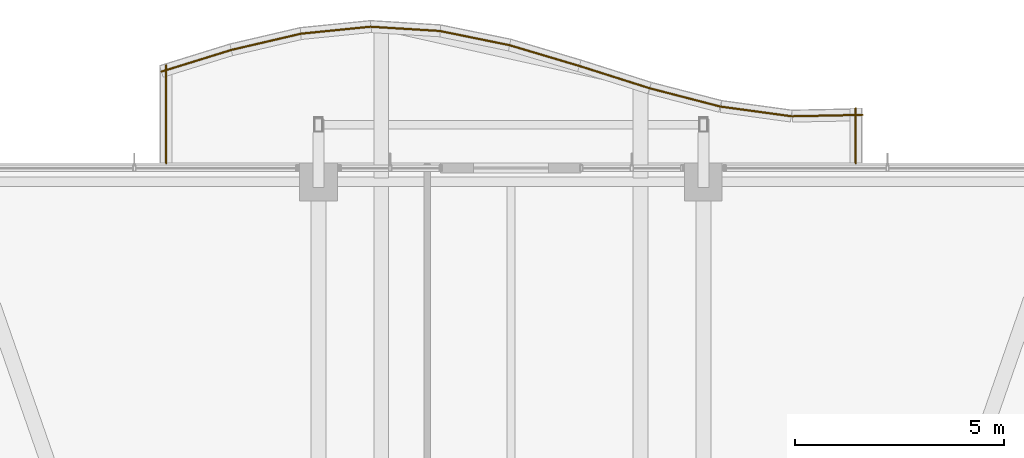
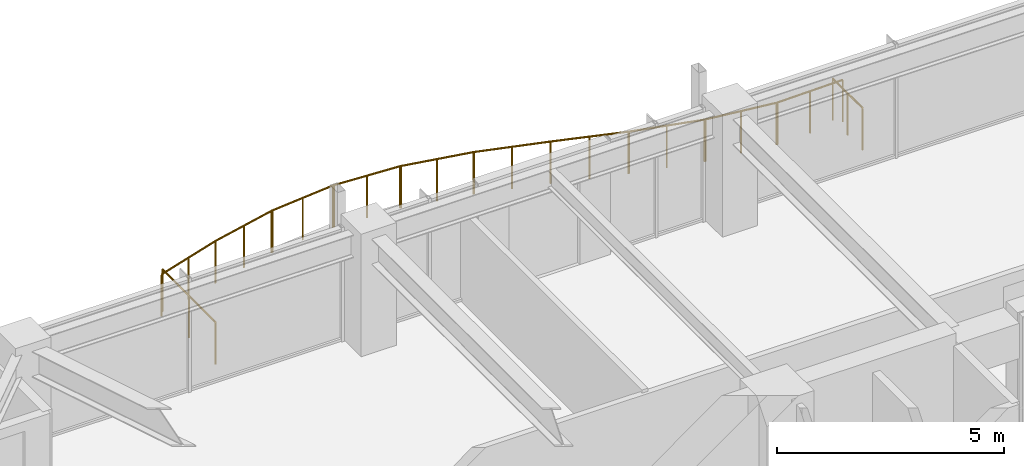
# One storey, part 37 of 37: 12 railings.
"""IFC4 building model written with IfcOpenShell, lengths in metres."""

from ifc_helpers import new_model, si_unit, direction, frame, origin, origin_2d, place, context, subcontext, project, spatial, circle, extrude, material, type_object, element, save


model = new_model("IFC4")

# Units and contexts
model_context = context("Model", 3, precision=1e-05, world=origin(), true_north=direction((0.0, 1.0)))
body_context = subcontext(model_context, "Body", "Model", "MODEL_VIEW")
ifc_project = project(units=[si_unit("LENGTHUNIT", "METRE"), si_unit("AREAUNIT", "SQUARE_METRE"), si_unit("VOLUMEUNIT", "CUBIC_METRE"), si_unit("PLANEANGLEUNIT", "RADIAN"), si_unit("MASSUNIT", "GRAM", prefix="KILO")], contexts=[model_context])

# Site, building, storey
site_placement = place(None, origin())
site = spatial("IfcSite", under=ifc_project, at=site_placement, CompositionType="ELEMENT")
building_placement = place(site_placement, origin())
building = spatial("IfcBuilding", under=site, at=building_placement, Name="Kolvaren Belvedere", CompositionType="ELEMENT")
storey_placement = place(building_placement, frame((0.0, 0.0, 173.39990234375)))
storey = spatial("IfcBuildingStorey", under=building, at=storey_placement, Name="L50", CompositionType="ELEMENT", Elevation=173.39990234375)

# Railings
ifc_material = material(Name="Anodised pale-metal aluminium & laminated glass guard", Category="aluminium")
railing_type = type_object("IfcRailingType", Name="RL-GUARD-1150", PredefinedType="GUARDRAIL", material=ifc_material)
railing_1_placement = place(storey_placement, frame((8.239990234375, 20.39990234375, 0.380126953125)))
element("IfcRailing", 1, at=railing_1_placement, inside=storey, type_object=railing_type, Name="L50 Exterior Deck Safety Guard BAL-N-11", PredefinedType="GUARDRAIL", context=body_context, shape_type="SweptSolid", body=[
    extrude(circle(Radius=0.02392578125, at=origin_2d()), frame((0.0, 0.0, 1.1259765625), z_axis=(0.0, 1.0, 0.0), x_axis=(-1.0, 0.0, 0.0)), (0.0, 0.0, 1.0), 1.31298828125),
    extrude(circle(Radius=0.02099609375, at=origin_2d()), origin(), (0.0, 0.0, 1.0), 1.101806640625),
    extrude(circle(Radius=0.02099609375, at=origin_2d()), frame((0.0, 0.656494140625, 0.0)), (0.0, 0.0, 1.0), 1.101806640625),
    extrude(circle(Radius=0.02099609375, at=origin_2d()), frame((0.0, 1.31298828125, 0.0)), (0.0, 0.0, 1.0), 1.101806640625),
])
railing_2_placement = place(storey_placement, frame((8.4033203125, 21.552978515625, 0.380126953125)))
element("IfcRailing", 2, at=railing_2_placement, inside=storey, type_object=railing_type, Name="L50 Exterior Deck Safety Guard BAL-N-12", PredefinedType="GUARDRAIL", context=body_context, shape_type="SweptSolid", body=[
    extrude(circle(Radius=0.02392578125, at=origin_2d()), frame((0.0, 0.0, 1.1259765625), z_axis=(-0.99979609052, -0.020193498486, 0.0), x_axis=(0.020193498486, -0.99979609052, 0.0)), (0.0, 0.0, 1.0), 1.680419921875),
    extrude(circle(Radius=0.02099609375, at=origin_2d()), origin(), (0.0, 0.0, 1.0), 1.101806640625),
    extrude(circle(Radius=0.02099609375, at=origin_2d()), frame((-0.840087890625, -0.01708984375, 0.0)), (0.0, 0.0, 1.0), 1.101806640625),
    extrude(circle(Radius=0.02099609375, at=origin_2d()), frame((-1.68017578125, -0.033935546875, 0.0)), (0.0, 0.0, 1.0), 1.101806640625),
])
railing_3_placement = place(storey_placement, frame((6.698486328125, 21.5205078125, 0.380126953125)))
element("IfcRailing", 3, at=railing_3_placement, inside=storey, type_object=railing_type, Name="L50 Exterior Deck Safety Guard BAL-N-13", PredefinedType="GUARDRAIL", context=body_context, shape_type="SweptSolid", body=[
    extrude(circle(Radius=0.02392578125, at=origin_2d()), frame((0.0, 0.0, 1.1259765625), z_axis=(-0.990858183042, 0.134907602079, 0.0), x_axis=(-0.134907602079, -0.990858183042, 0.0)), (0.0, 0.0, 1.0), 1.695556640625),
    extrude(circle(Radius=0.02099609375, at=origin_2d()), origin(), (0.0, 0.0, 1.0), 1.101806640625),
    extrude(circle(Radius=0.02099609375, at=origin_2d()), frame((-0.840087890625, 0.1142578125, 0.0)), (0.0, 0.0, 1.0), 1.101806640625),
    extrude(circle(Radius=0.02099609375, at=origin_2d()), frame((-1.68017578125, 0.228759765625, 0.0)), (0.0, 0.0, 1.0), 1.101806640625),
])
railing_4_placement = place(storey_placement, frame((5.0, 21.7529296875, 0.380126953125)))
element("IfcRailing", 4, at=railing_4_placement, inside=storey, type_object=railing_type, Name="L50 Exterior Deck Safety Guard BAL-N-14", PredefinedType="GUARDRAIL", context=body_context, shape_type="SweptSolid", body=[
    extrude(circle(Radius=0.02392578125, at=origin_2d()), frame((0.0, 0.0, 1.1259765625), z_axis=(-0.968141031826, 0.250405556038, 0.0), x_axis=(-0.250405556038, -0.968141031826, 0.0)), (0.0, 0.0, 1.0), 1.7353515625),
    extrude(circle(Radius=0.02099609375, at=origin_2d()), origin(), (0.0, 0.0, 1.0), 1.101806640625),
    extrude(circle(Radius=0.02099609375, at=origin_2d()), frame((-0.840087890625, 0.21728515625, 0.0)), (0.0, 0.0, 1.0), 1.101806640625),
    extrude(circle(Radius=0.02099609375, at=origin_2d()), frame((-1.68017578125, 0.4345703125, 0.0)), (0.0, 0.0, 1.0), 1.101806640625),
])
railing_5_placement = place(storey_placement, frame((3.3115234375, 22.18994140625, 0.380126953125)))
element("IfcRailing", 5, at=railing_5_placement, inside=storey, type_object=railing_type, Name="L50 Exterior Deck Safety Guard BAL-N-15", PredefinedType="GUARDRAIL", context=body_context, shape_type="SweptSolid", body=[
    extrude(circle(Radius=0.02392578125, at=origin_2d()), frame((0.0, 0.0, 1.1259765625), z_axis=(-0.953181954832, 0.302397356111, 0.0), x_axis=(-0.302397356111, -0.953181954832, 0.0)), (0.0, 0.0, 1.0), 1.762451171875),
    extrude(circle(Radius=0.02099609375, at=origin_2d()), origin(), (0.0, 0.0, 1.0), 1.101806640625),
    extrude(circle(Radius=0.02099609375, at=origin_2d()), frame((-0.83984375, 0.2666015625, 0.0)), (0.0, 0.0, 1.0), 1.101806640625),
    extrude(circle(Radius=0.02099609375, at=origin_2d()), frame((-1.679931640625, 0.532958984375, 0.0)), (0.0, 0.0, 1.0), 1.101806640625),
])
railing_6_placement = place(storey_placement, frame((1.634521484375, 22.721923828125, 0.380126953125)))
element("IfcRailing", 6, at=railing_6_placement, inside=storey, type_object=railing_type, Name="L50 Exterior Deck Safety Guard BAL-N-16", PredefinedType="GUARDRAIL", context=body_context, shape_type="SweptSolid", body=[
    extrude(circle(Radius=0.02392578125, at=origin_2d()), frame((0.0, 0.0, 1.1259765625), z_axis=(-0.958536356279, 0.284970268083, 0.0), x_axis=(-0.284970268083, -0.958536356279, 0.0)), (0.0, 0.0, 1.0), 1.7529296875),
    extrude(circle(Radius=0.02099609375, at=origin_2d()), origin(), (0.0, 0.0, 1.0), 1.101806640625),
    extrude(circle(Radius=0.02099609375, at=origin_2d()), frame((-0.840087890625, 0.249755859375, 0.0)), (0.0, 0.0, 1.0), 1.101806640625),
    extrude(circle(Radius=0.02099609375, at=origin_2d()), frame((-1.68017578125, 0.49951171875, 0.0)), (0.0, 0.0, 1.0), 1.101806640625),
])
railing_7_placement = place(storey_placement, frame((-0.031982421875, 23.218017578125, 0.380126953125)))
element("IfcRailing", 7, at=railing_7_placement, inside=storey, type_object=railing_type, Name="L50 Exterior Deck Safety Guard BAL-N-17", PredefinedType="GUARDRAIL", context=body_context, shape_type="SweptSolid", body=[
    extrude(circle(Radius=0.02392578125, at=origin_2d()), frame((0.0, 0.0, 1.1259765625), z_axis=(-0.979867779516, 0.199647526069, 0.0), x_axis=(-0.199647526069, -0.979867779516, 0.0)), (0.0, 0.0, 1.0), 1.71435546875),
    extrude(circle(Radius=0.02099609375, at=origin_2d()), origin(), (0.0, 0.0, 1.0), 1.101806640625),
    extrude(circle(Radius=0.02099609375, at=origin_2d()), frame((-0.83984375, 0.171142578125, 0.0)), (0.0, 0.0, 1.0), 1.101806640625),
    extrude(circle(Radius=0.02099609375, at=origin_2d()), frame((-1.679931640625, 0.34228515625, 0.0)), (0.0, 0.0, 1.0), 1.101806640625),
])
railing_8_placement = place(storey_placement, frame((-1.689697265625, 23.5576171875, 0.380126953125)))
element("IfcRailing", 8, at=railing_8_placement, inside=storey, type_object=railing_type, Name="L50 Exterior Deck Safety Guard BAL-N-18", PredefinedType="GUARDRAIL", context=body_context, shape_type="SweptSolid", body=[
    extrude(circle(Radius=0.02392578125, at=origin_2d()), frame((0.0, 0.0, 1.1259765625), z_axis=(-0.998134101522, 0.061059932685, 0.0), x_axis=(-0.061059932685, -0.998134101522, 0.0)), (0.0, 0.0, 1.0), 1.683349609375),
    extrude(circle(Radius=0.02099609375, at=origin_2d()), origin(), (0.0, 0.0, 1.0), 1.101806640625),
    extrude(circle(Radius=0.02099609375, at=origin_2d()), frame((-0.840087890625, 0.05126953125, 0.0)), (0.0, 0.0, 1.0), 1.101806640625),
    extrude(circle(Radius=0.02099609375, at=origin_2d()), frame((-1.68017578125, 0.102783203125, 0.0)), (0.0, 0.0, 1.0), 1.101806640625),
])
railing_9_placement = place(storey_placement, frame((-3.343994140625, 23.660888671875, 0.380126953125)))
element("IfcRailing", 9, at=railing_9_placement, inside=storey, type_object=railing_type, Name="L50 Exterior Deck Safety Guard BAL-N-19", PredefinedType="GUARDRAIL", context=body_context, shape_type="SweptSolid", body=[
    extrude(circle(Radius=0.02392578125, at=origin_2d()), frame((0.0, 0.0, 1.1259765625), z_axis=(-0.995025731437, -0.099618240186, 0.0), x_axis=(0.099618240186, -0.995025731437, 0.0)), (0.0, 0.0, 1.0), 1.6884765625),
    extrude(circle(Radius=0.02099609375, at=origin_2d()), origin(), (0.0, 0.0, 1.0), 1.101806640625),
    extrude(circle(Radius=0.02099609375, at=origin_2d()), frame((-0.840087890625, -0.083984375, 0.0)), (0.0, 0.0, 1.0), 1.101806640625),
    extrude(circle(Radius=0.02099609375, at=origin_2d()), frame((-1.68017578125, -0.168212890625, 0.0)), (0.0, 0.0, 1.0), 1.101806640625),
])
railing_10_placement = place(storey_placement, frame((-5.003662109375, 23.49609375, 0.380126953125)))
element("IfcRailing", 10, at=railing_10_placement, inside=storey, type_object=railing_type, Name="L50 Exterior Deck Safety Guard BAL-N-20", PredefinedType="GUARDRAIL", context=body_context, shape_type="SweptSolid", body=[
    extrude(circle(Radius=0.02392578125, at=origin_2d()), frame((0.0, 0.0, 1.1259765625), z_axis=(-0.973890253884, -0.227019323824, 0.0), x_axis=(0.227019323824, -0.973890253884, 0.0)), (0.0, 0.0, 1.0), 1.724853515625),
    extrude(circle(Radius=0.02099609375, at=origin_2d()), origin(), (0.0, 0.0, 1.0), 1.101806640625),
    extrude(circle(Radius=0.02099609375, at=origin_2d()), frame((-0.83984375, -0.19580078125, 0.0)), (0.0, 0.0, 1.0), 1.101806640625),
    extrude(circle(Radius=0.02099609375, at=origin_2d()), frame((-1.679931640625, -0.3916015625, 0.0)), (0.0, 0.0, 1.0), 1.101806640625),
])
railing_11_placement = place(storey_placement, frame((-6.672607421875, 23.107421875, 0.380126953125)))
element("IfcRailing", 11, at=railing_11_placement, inside=storey, type_object=railing_type, Name="L50 Exterior Deck Safety Guard BAL-N-21", PredefinedType="GUARDRAIL", context=body_context, shape_type="SweptSolid", body=[
    extrude(circle(Radius=0.02392578125, at=origin_2d()), frame((0.0, 0.0, 1.1259765625), z_axis=(-0.955252278476, -0.29579229954, 0.0), x_axis=(0.29579229954, -0.955252278476, 0.0)), (0.0, 0.0, 1.0), 1.7587890625),
    extrude(circle(Radius=0.02099609375, at=origin_2d()), origin(), (0.0, 0.0, 1.0), 1.101806640625),
    extrude(circle(Radius=0.02099609375, at=origin_2d()), frame((-0.840087890625, -0.26025390625, 0.0)), (0.0, 0.0, 1.0), 1.101806640625),
    extrude(circle(Radius=0.02099609375, at=origin_2d()), frame((-1.68017578125, -0.520263671875, 0.0)), (0.0, 0.0, 1.0), 1.101806640625),
])
railing_12_placement = place(storey_placement, frame((-8.239990234375, 22.739990234375, 0.380126953125)))
element("IfcRailing", 12, at=railing_12_placement, inside=storey, type_object=railing_type, Name="L50 Exterior Deck Safety Guard BAL-N-22", PredefinedType="GUARDRAIL", context=body_context, shape_type="SweptSolid", body=[
    extrude(circle(Radius=0.02392578125, at=origin_2d()), frame((0.0, 0.0, 1.1259765625), z_axis=(0.0, -1.0, 0.0), x_axis=(1.0, 0.0, 0.0)), (0.0, 0.0, 1.0), 2.340087890625),
    extrude(circle(Radius=0.02099609375, at=origin_2d()), origin(), (0.0, 0.0, 1.0), 1.101806640625),
    extrude(circle(Radius=0.02099609375, at=origin_2d()), frame((0.0, -1.169921875, 0.0)), (0.0, 0.0, 1.0), 1.101806640625),
    extrude(circle(Radius=0.02099609375, at=origin_2d()), frame((0.0, -2.340087890625, 0.0)), (0.0, 0.0, 1.0), 1.101806640625),
])

save(model, "model.ifc")
